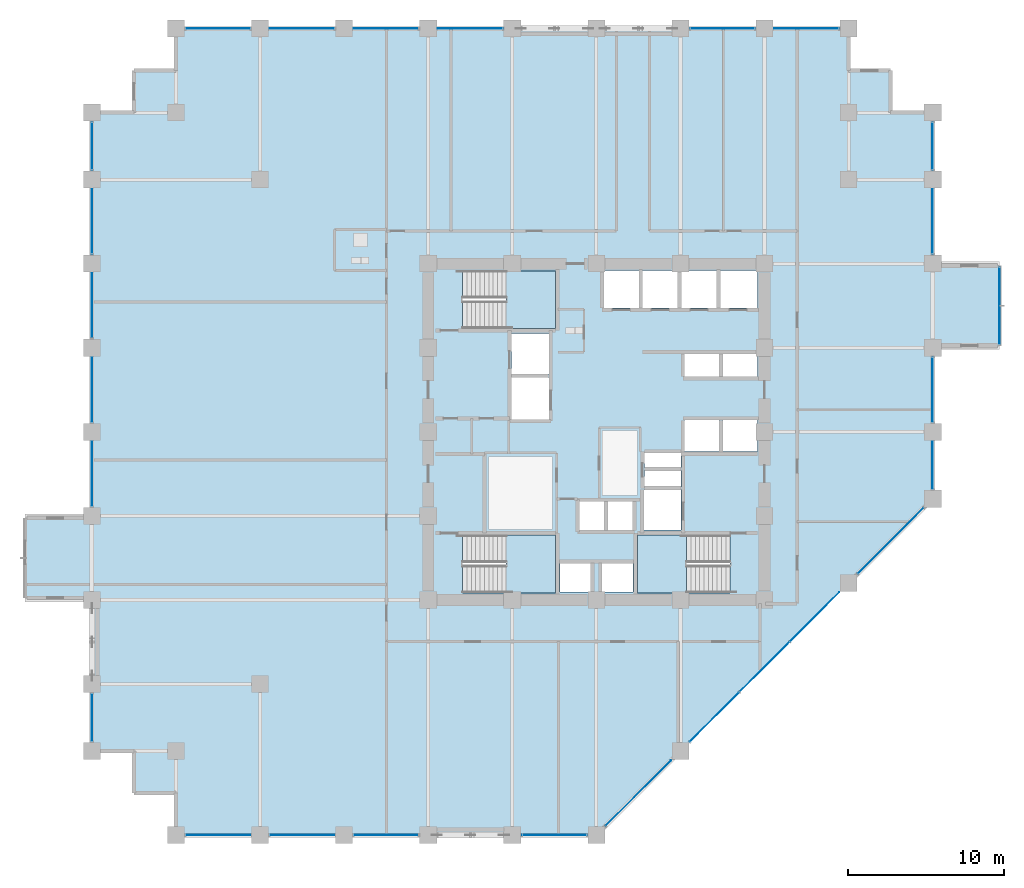
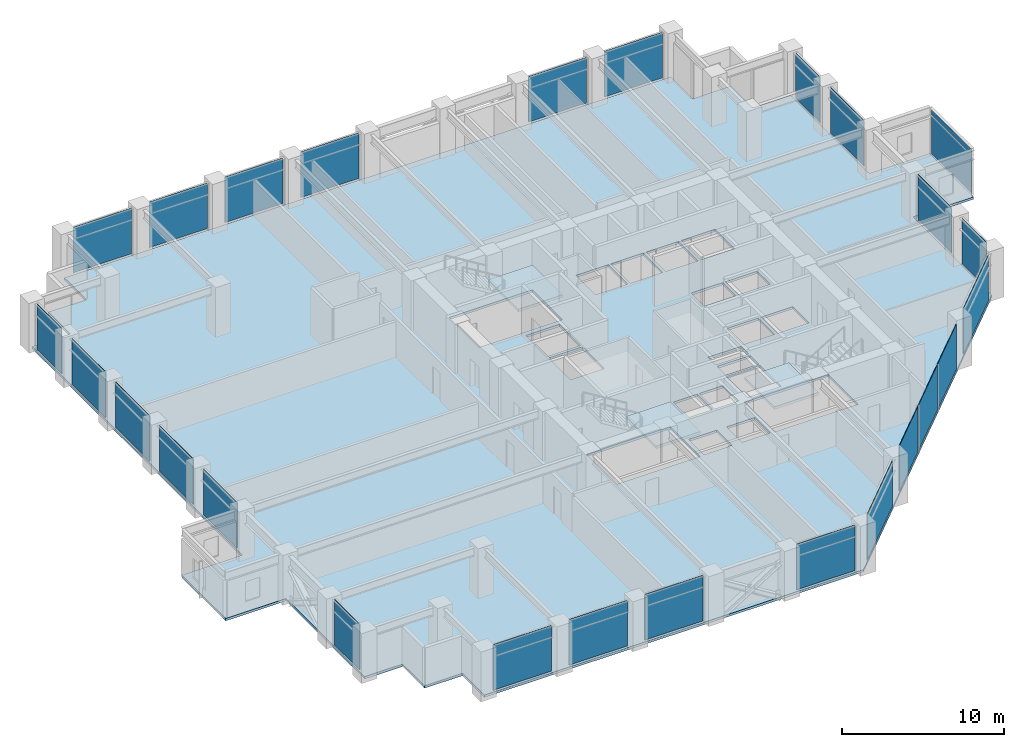
# One storey, part 20 of 29: 26 plates, 4 slabs, 13 elements without a shape of their own.
"""IFC4 building model written with IfcOpenShell, lengths in metres."""

from ifc_helpers import new_model, si_unit, direction, frame, frame_2d, origin, place, context, subcontext, project, spatial, polyline, rectangle, outline, extrude, material, layer, layer_set, type_object, element, aggregate, save


model = new_model("IFC4")

# Units and contexts
model_context = context("Model", 3, precision=1e-05, world=origin(), true_north=direction((0.0, 1.0)))
body_context = subcontext(model_context, "Body", "Model", "MODEL_VIEW")
ifc_project = project(units=[si_unit("LENGTHUNIT", "METRE"), si_unit("AREAUNIT", "SQUARE_METRE"), si_unit("VOLUMEUNIT", "CUBIC_METRE"), si_unit("PLANEANGLEUNIT", "RADIAN"), si_unit("MASSUNIT", "GRAM", prefix="KILO")], contexts=[model_context])

# Site, building, storey
site_placement = place(None, origin())
site = spatial("IfcSite", under=ifc_project, at=site_placement, CompositionType="ELEMENT")
building_placement = place(site_placement, origin())
building = spatial("IfcBuilding", under=site, at=building_placement, Name="Surkhivell Harbour Commons", CompositionType="ELEMENT")
storey_placement = place(building_placement, frame((0.0, 0.0, 87.0)))
storey = spatial("IfcBuildingStorey", under=building, at=storey_placement, Name="L22", CompositionType="ELEMENT", Elevation=87.0)

# Curtain wall, plate
ifc_material_1 = material(Name="Anodised pale-metal aluminium and insulated glazing", Category="aluminium")
ifc_layer_1 = layer(ifc_material_1, 0.1650390625)
ifc_layer_set_1 = layer_set([ifc_layer_1], Name="Anodised pale-metal aluminium and insulated glazing")
curtain_wall_type_1 = type_object("IfcCurtainWallType", Name="CW-SYS-BOX", PredefinedType="NOTDEFINED", material=ifc_layer_set_1)
curtain_wall_1_placement = place(storey_placement, origin())
curtain_wall_1 = element("IfcCurtainWall", 1, at=curtain_wall_1_placement, inside=storey, type_object=curtain_wall_type_1, Name="L22 Curtain Wall CW-L22-BOX01", PredefinedType="NOTDEFINED")
ifc_material_2 = material(Name="Triple-glazed bay-cluster vision glass", Category="glass")
ifc_layer_2 = layer(ifc_material_2, 0.028076171875)
ifc_layer_set_2 = layer_set([ifc_layer_2], Name="Triple-glazed bay-cluster vision glass")
plate_type_1 = type_object("IfcPlateType", Name="CWP-GLZ-28", PredefinedType="CURTAIN_PANEL", material=ifc_layer_set_2)
plate_1_placement = place(storey_placement, frame((25.89990234375, 5.6201171875, 0.1298828125), z_axis=(0.0, 0.0, 1.0), x_axis=(0.0, 1.0, 0.0)))
plate_1 = element("IfcPlate", 2, at=plate_1_placement, type_object=plate_type_1, Name="CW-BOX panel 1.1", PredefinedType="CURTAIN_PANEL", context=body_context, shape_type="SweptSolid", body=[
    extrude(rectangle(XDim=4.9599609375, YDim=0.028076171875, at=frame_2d((2.47998046875, 0.0))), origin(), (0.0, 0.0, 1.0), 3.31005859375),
])
aggregate(curtain_wall_1, [plate_1])

# Curtain wall, plates
ifc_layer_3 = layer(ifc_material_1, 0.205078125)
ifc_layer_set_3 = layer_set([ifc_layer_3], Name="Anodised pale-metal aluminium and insulated glazing")
curtain_wall_type_2 = type_object("IfcCurtainWallType", Name="CW-SYS-Z2", PredefinedType="NOTDEFINED", material=ifc_layer_set_3)
curtain_wall_2_placement = place(storey_placement, origin())
curtain_wall_2 = element("IfcCurtainWall", 3, at=curtain_wall_2_placement, inside=storey, type_object=curtain_wall_type_2, Name="L22 Curtain Wall CW-L22-E00S1", PredefinedType="NOTDEFINED")
ifc_material_3 = material(Name="High-pressure typhoon laminated vision glass", Category="glass")
ifc_layer_4 = layer(ifc_material_3, 0.035888671875)
ifc_layer_set_4 = layer_set([ifc_layer_4], Name="High-pressure typhoon laminated vision glass")
plate_type_2 = type_object("IfcPlateType", Name="CWP-GLZ-36", PredefinedType="CURTAIN_PANEL", material=ifc_layer_set_4)
plate_2_placement = place(storey_placement, frame((-26.373046875, -25.89990234375, 0.14990234375), z_axis=(0.0, 0.0, 1.0), x_axis=(1.0, 0.0, 0.0)))
plate_2 = element("IfcPlate", 4, at=plate_2_placement, type_object=plate_type_2, Name="CW-Z2 panel 1.1", PredefinedType="CURTAIN_PANEL", context=body_context, shape_type="SweptSolid", body=[
    extrude(rectangle(XDim=4.14599609375, YDim=0.035888671875, at=frame_2d((2.072998046875, 0.0))), origin(), (0.0, 0.0, 1.0), 3.420166015625),
])
plate_3_placement = place(storey_placement, frame((-20.972900390625, -25.89990234375, 0.14990234375), z_axis=(0.0, 0.0, 1.0), x_axis=(1.0, 0.0, 0.0)))
plate_3 = element("IfcPlate", 5, at=plate_3_placement, type_object=plate_type_2, Name="CW-Z2 panel 2.1", PredefinedType="CURTAIN_PANEL", context=body_context, shape_type="SweptSolid", body=[
    extrude(rectangle(XDim=4.14599609375, YDim=0.035888671875, at=frame_2d((2.072998046875, 0.0))), origin(), (0.0, 0.0, 1.0), 3.420166015625),
])
plate_4_placement = place(storey_placement, frame((-15.572998046875, -25.89990234375, 0.14990234375), z_axis=(0.0, 0.0, 1.0), x_axis=(1.0, 0.0, 0.0)))
plate_4 = element("IfcPlate", 6, at=plate_4_placement, type_object=plate_type_2, Name="CW-Z2 panel 3.1", PredefinedType="CURTAIN_PANEL", context=body_context, shape_type="SweptSolid", body=[
    extrude(rectangle(XDim=4.14599609375, YDim=0.035888671875, at=frame_2d((2.072998046875, 0.0))), origin(), (0.0, 0.0, 1.0), 3.420166015625),
])
aggregate(curtain_wall_2, [plate_2, plate_3, plate_4])

# Curtain wall, plate
curtain_wall_3_placement = place(storey_placement, origin())
curtain_wall_3 = element("IfcCurtainWall", 7, at=curtain_wall_3_placement, inside=storey, type_object=curtain_wall_type_2, Name="L22 Curtain Wall CW-L22-E00S2", PredefinedType="NOTDEFINED")
plate_5_placement = place(storey_placement, frame((-4.77294921875, -25.89990234375, 0.14990234375), z_axis=(0.0, 0.0, 1.0), x_axis=(1.0, 0.0, 0.0)))
plate_5 = element("IfcPlate", 8, at=plate_5_placement, type_object=plate_type_2, Name="CW-Z2 panel 1.1", PredefinedType="CURTAIN_PANEL", context=body_context, shape_type="SweptSolid", body=[
    extrude(rectangle(XDim=4.14599609375, YDim=0.035888671875, at=frame_2d((2.072998046875, 0.0))), origin(), (0.0, 0.0, 1.0), 3.420166015625),
])
aggregate(curtain_wall_3, [plate_5])

# Curtain wall, plates
curtain_wall_4_placement = place(storey_placement, origin())
curtain_wall_4 = element("IfcCurtainWall", 9, at=curtain_wall_4_placement, inside=storey, type_object=curtain_wall_type_2, Name="L22 Curtain Wall CW-L22-E01", PredefinedType="NOTDEFINED")
plate_6_placement = place(storey_placement, frame((0.604736328125, -25.295166015625, 0.14990234375), z_axis=(0.0, 0.0, 1.0), x_axis=(0.707106781187, 0.707106781187, 0.0)))
plate_6 = element("IfcPlate", 10, at=plate_6_placement, type_object=plate_type_2, Name="CW-Z2 panel 1.1", PredefinedType="CURTAIN_PANEL", context=body_context, shape_type="SweptSolid", body=[
    extrude(rectangle(XDim=5.92626953125, YDim=0.035888671875, at=frame_2d((2.963134765625, 0.0))), origin(), (0.0, 0.0, 1.0), 3.420166015625),
])
plate_7_placement = place(storey_placement, frame((6.004638671875, -19.895263671875, 0.14990234375), z_axis=(0.0, 0.0, 1.0), x_axis=(0.707134159244, 0.707079402069, 0.0)))
plate_7 = element("IfcPlate", 11, at=plate_7_placement, type_object=plate_type_2, Name="CW-Z2 panel 2.1", PredefinedType="CURTAIN_PANEL", context=body_context, shape_type="SweptSolid", body=[
    extrude(rectangle(XDim=4.45849609375, YDim=0.035888671875, at=frame_2d((2.229248046875, 0.0))), origin(), (0.0, 0.0, 1.0), 3.420166015625),
])
plate_8_placement = place(storey_placement, frame((9.21044921875, -16.689697265625, 0.14990234375), z_axis=(0.0, 0.0, 1.0), x_axis=(0.707106781187, 0.707106781187, 0.0)))
plate_8 = element("IfcPlate", 12, at=plate_8_placement, type_object=plate_type_2, Name="CW-Z2 panel 3.1", PredefinedType="CURTAIN_PANEL", context=body_context, shape_type="SweptSolid", body=[
    extrude(rectangle(XDim=4.49609375, YDim=0.035888671875, at=frame_2d((2.248046875, 0.0))), origin(), (0.0, 0.0, 1.0), 3.420166015625),
])
plate_9_placement = place(storey_placement, frame((12.442626953125, -13.457275390625, 0.14990234375), z_axis=(0.0, 0.0, 1.0), x_axis=(0.707106781187, 0.707106781187, 0.0)))
plate_9 = element("IfcPlate", 13, at=plate_9_placement, type_object=plate_type_2, Name="CW-Z2 panel 4.1", PredefinedType="CURTAIN_PANEL", context=body_context, shape_type="SweptSolid", body=[
    extrude(rectangle(XDim=4.45849609375, YDim=0.035888671875, at=frame_2d((2.229248046875, 0.0))), origin(), (0.0, 0.0, 1.0), 3.420166015625),
])
plate_10_placement = place(storey_placement, frame((16.8046875, -9.09521484375, 0.14990234375), z_axis=(0.0, 0.0, 1.0), x_axis=(0.707127378829, 0.707086182944, 0.0)))
plate_10 = element("IfcPlate", 14, at=plate_10_placement, type_object=plate_type_2, Name="CW-Z2 panel 5.1", PredefinedType="CURTAIN_PANEL", context=body_context, shape_type="SweptSolid", body=[
    extrude(rectangle(XDim=5.92626953125, YDim=0.035888671875, at=frame_2d((2.963134765625, 0.0))), origin(), (0.0, 0.0, 1.0), 3.420166015625),
])
aggregate(curtain_wall_4, [plate_6, plate_7, plate_8, plate_9, plate_10])

curtain_wall_5_placement = place(storey_placement, origin())
curtain_wall_5 = element("IfcCurtainWall", 15, at=curtain_wall_5_placement, inside=storey, type_object=curtain_wall_type_2, Name="L22 Curtain Wall CW-L22-E02R1", PredefinedType="NOTDEFINED")
plate_11_placement = place(storey_placement, frame((21.60009765625, -3.673095703125, 0.14990234375), z_axis=(0.0, 0.0, 1.0), x_axis=(0.0, 1.0, 0.0)))
plate_11 = element("IfcPlate", 16, at=plate_11_placement, type_object=plate_type_2, Name="CW-Z2 panel 1.1", PredefinedType="CURTAIN_PANEL", context=body_context, shape_type="SweptSolid", body=[
    extrude(rectangle(XDim=3.046142578125, YDim=0.035888671875, at=frame_2d((1.52294921875, 0.0))), origin(), (0.0, 0.0, 1.0), 3.420166015625),
])
plate_12_placement = place(storey_placement, frame((21.60009765625, 0.626953125, 0.14990234375), z_axis=(0.0, 0.0, 1.0), x_axis=(0.0, 1.0, 0.0)))
plate_12 = element("IfcPlate", 17, at=plate_12_placement, type_object=plate_type_2, Name="CW-Z2 panel 2.1", PredefinedType="CURTAIN_PANEL", context=body_context, shape_type="SweptSolid", body=[
    extrude(rectangle(XDim=4.14599609375, YDim=0.035888671875, at=frame_2d((2.072998046875, 0.0))), origin(), (0.0, 0.0, 1.0), 3.420166015625),
])
aggregate(curtain_wall_5, [plate_11, plate_12])

curtain_wall_6_placement = place(storey_placement, origin())
curtain_wall_6 = element("IfcCurtainWall", 18, at=curtain_wall_6_placement, inside=storey, type_object=curtain_wall_type_2, Name="L22 Curtain Wall CW-L22-E02R2", PredefinedType="NOTDEFINED")
plate_13_placement = place(storey_placement, frame((21.60009765625, 11.427001953125, 0.14990234375), z_axis=(0.0, 0.0, 1.0), x_axis=(0.0, 1.0, 0.0)))
plate_13 = element("IfcPlate", 19, at=plate_13_placement, type_object=plate_type_2, Name="CW-Z2 panel 1.1", PredefinedType="CURTAIN_PANEL", context=body_context, shape_type="SweptSolid", body=[
    extrude(rectangle(XDim=4.14599609375, YDim=0.035888671875, at=frame_2d((2.072998046875, 0.0))), origin(), (0.0, 0.0, 1.0), 3.420166015625),
])
plate_14_placement = place(storey_placement, frame((21.60009765625, 16.826904296875, 0.14990234375), z_axis=(0.0, 0.0, 1.0), x_axis=(0.0, 1.0, 0.0)))
plate_14 = element("IfcPlate", 20, at=plate_14_placement, type_object=plate_type_2, Name="CW-Z2 panel 2.1", PredefinedType="CURTAIN_PANEL", context=body_context, shape_type="SweptSolid", body=[
    extrude(rectangle(XDim=3.046142578125, YDim=0.035888671875, at=frame_2d((1.52294921875, 0.0))), origin(), (0.0, 0.0, 1.0), 3.420166015625),
])
aggregate(curtain_wall_6, [plate_13, plate_14])

curtain_wall_7_placement = place(storey_placement, origin())
curtain_wall_7 = element("IfcCurtainWall", 21, at=curtain_wall_7_placement, inside=storey, type_object=curtain_wall_type_2, Name="L22 Curtain Wall CW-L22-E07S1", PredefinedType="NOTDEFINED")
plate_15_placement = place(storey_placement, frame((15.572998046875, 25.89990234375, 0.14990234375), z_axis=(0.0, 0.0, 1.0), x_axis=(-1.0, 0.0, 0.0)))
plate_15 = element("IfcPlate", 22, at=plate_15_placement, type_object=plate_type_2, Name="CW-Z2 panel 1.1", PredefinedType="CURTAIN_PANEL", context=body_context, shape_type="SweptSolid", body=[
    extrude(rectangle(XDim=4.14599609375, YDim=0.035888671875, at=frame_2d((2.072998046875, 0.0))), origin(), (0.0, 0.0, 1.0), 3.420166015625),
])
plate_16_placement = place(storey_placement, frame((10.173095703125, 25.89990234375, 0.14990234375), z_axis=(0.0, 0.0, 1.0), x_axis=(-1.0, 0.0, 0.0)))
plate_16 = element("IfcPlate", 23, at=plate_16_placement, type_object=plate_type_2, Name="CW-Z2 panel 2.1", PredefinedType="CURTAIN_PANEL", context=body_context, shape_type="SweptSolid", body=[
    extrude(rectangle(XDim=4.14599609375, YDim=0.035888671875, at=frame_2d((2.072998046875, 0.0))), origin(), (0.0, 0.0, 1.0), 3.420166015625),
])
aggregate(curtain_wall_7, [plate_15, plate_16])

curtain_wall_8_placement = place(storey_placement, origin())
curtain_wall_8 = element("IfcCurtainWall", 24, at=curtain_wall_8_placement, inside=storey, type_object=curtain_wall_type_2, Name="L22 Curtain Wall CW-L22-E07S2", PredefinedType="NOTDEFINED")
plate_17_placement = place(storey_placement, frame((-6.027099609375, 25.89990234375, 0.14990234375), z_axis=(0.0, 0.0, 1.0), x_axis=(-1.0, 0.0, 0.0)))
plate_17 = element("IfcPlate", 25, at=plate_17_placement, type_object=plate_type_2, Name="CW-Z2 panel 1.1", PredefinedType="CURTAIN_PANEL", context=body_context, shape_type="SweptSolid", body=[
    extrude(rectangle(XDim=4.14599609375, YDim=0.035888671875, at=frame_2d((2.072998046875, 0.0))), origin(), (0.0, 0.0, 1.0), 3.420166015625),
])
plate_18_placement = place(storey_placement, frame((-11.427001953125, 25.89990234375, 0.14990234375), z_axis=(0.0, 0.0, 1.0), x_axis=(-1.0, 0.0, 0.0)))
plate_18 = element("IfcPlate", 26, at=plate_18_placement, type_object=plate_type_2, Name="CW-Z2 panel 2.1", PredefinedType="CURTAIN_PANEL", context=body_context, shape_type="SweptSolid", body=[
    extrude(rectangle(XDim=4.14599609375, YDim=0.035888671875, at=frame_2d((2.072998046875, 0.0))), origin(), (0.0, 0.0, 1.0), 3.420166015625),
])
plate_19_placement = place(storey_placement, frame((-16.826904296875, 25.89990234375, 0.14990234375), z_axis=(0.0, 0.0, 1.0), x_axis=(-1.0, 0.0, 0.0)))
plate_19 = element("IfcPlate", 27, at=plate_19_placement, type_object=plate_type_2, Name="CW-Z2 panel 3.1", PredefinedType="CURTAIN_PANEL", context=body_context, shape_type="SweptSolid", body=[
    extrude(rectangle(XDim=4.14599609375, YDim=0.035888671875, at=frame_2d((2.072998046875, 0.0))), origin(), (0.0, 0.0, 1.0), 3.420166015625),
])
plate_20_placement = place(storey_placement, frame((-22.22705078125, 25.89990234375, 0.14990234375), z_axis=(0.0, 0.0, 1.0), x_axis=(-1.0, 0.0, 0.0)))
plate_20 = element("IfcPlate", 28, at=plate_20_placement, type_object=plate_type_2, Name="CW-Z2 panel 4.1", PredefinedType="CURTAIN_PANEL", context=body_context, shape_type="SweptSolid", body=[
    extrude(rectangle(XDim=4.14599609375, YDim=0.035888671875, at=frame_2d((2.072998046875, 0.0))), origin(), (0.0, 0.0, 1.0), 3.420166015625),
])
aggregate(curtain_wall_8, [plate_17, plate_18, plate_19, plate_20])

# Curtain wall, plate
curtain_wall_9_placement = place(storey_placement, origin())
curtain_wall_9 = element("IfcCurtainWall", 29, at=curtain_wall_9_placement, inside=storey, type_object=curtain_wall_type_2, Name="L22 Curtain Wall CW-L22-E12R1S1", PredefinedType="NOTDEFINED")
plate_21_placement = place(storey_placement, frame((-32.39990234375, -19.873046875, 0.14990234375), z_axis=(0.0, 0.0, 1.0), x_axis=(0.0, 1.0, 0.0)))
plate_21 = element("IfcPlate", 30, at=plate_21_placement, type_object=plate_type_2, Name="CW-Z2 panel 1.1", PredefinedType="CURTAIN_PANEL", context=body_context, shape_type="SweptSolid", body=[
    extrude(rectangle(XDim=3.046142578125, YDim=0.035888671875, at=frame_2d((1.52294921875, 0.0))), origin(), (0.0, 0.0, 1.0), 3.420166015625),
])
aggregate(curtain_wall_9, [plate_21])

# Curtain wall, plates
curtain_wall_10_placement = place(storey_placement, origin())
curtain_wall_10 = element("IfcCurtainWall", 31, at=curtain_wall_10_placement, inside=storey, type_object=curtain_wall_type_2, Name="L22 Curtain Wall CW-L22-E12R2", PredefinedType="NOTDEFINED")
plate_22_placement = place(storey_placement, frame((-32.39990234375, -4.77294921875, 0.14990234375), z_axis=(0.0, 0.0, 1.0), x_axis=(0.0, 1.0, 0.0)))
plate_22 = element("IfcPlate", 32, at=plate_22_placement, type_object=plate_type_2, Name="CW-Z2 panel 1.1", PredefinedType="CURTAIN_PANEL", context=body_context, shape_type="SweptSolid", body=[
    extrude(rectangle(XDim=4.14599609375, YDim=0.035888671875, at=frame_2d((2.072998046875, 0.0))), origin(), (0.0, 0.0, 1.0), 3.420166015625),
])
plate_23_placement = place(storey_placement, frame((-32.39990234375, 0.626953125, 0.14990234375), z_axis=(0.0, 0.0, 1.0), x_axis=(0.0, 1.0, 0.0)))
plate_23 = element("IfcPlate", 33, at=plate_23_placement, type_object=plate_type_2, Name="CW-Z2 panel 2.1", PredefinedType="CURTAIN_PANEL", context=body_context, shape_type="SweptSolid", body=[
    extrude(rectangle(XDim=4.14599609375, YDim=0.035888671875, at=frame_2d((2.072998046875, 0.0))), origin(), (0.0, 0.0, 1.0), 3.420166015625),
])
plate_24_placement = place(storey_placement, frame((-32.39990234375, 6.027099609375, 0.14990234375), z_axis=(0.0, 0.0, 1.0), x_axis=(0.0, 1.0, 0.0)))
plate_24 = element("IfcPlate", 34, at=plate_24_placement, type_object=plate_type_2, Name="CW-Z2 panel 3.1", PredefinedType="CURTAIN_PANEL", context=body_context, shape_type="SweptSolid", body=[
    extrude(rectangle(XDim=4.14599609375, YDim=0.035888671875, at=frame_2d((2.072998046875, 0.0))), origin(), (0.0, 0.0, 1.0), 3.420166015625),
])
plate_25_placement = place(storey_placement, frame((-32.39990234375, 11.427001953125, 0.14990234375), z_axis=(0.0, 0.0, 1.0), x_axis=(0.0, 1.0, 0.0)))
plate_25 = element("IfcPlate", 35, at=plate_25_placement, type_object=plate_type_2, Name="CW-Z2 panel 4.1", PredefinedType="CURTAIN_PANEL", context=body_context, shape_type="SweptSolid", body=[
    extrude(rectangle(XDim=4.14599609375, YDim=0.035888671875, at=frame_2d((2.072998046875, 0.0))), origin(), (0.0, 0.0, 1.0), 3.420166015625),
])
plate_26_placement = place(storey_placement, frame((-32.39990234375, 16.826904296875, 0.14990234375), z_axis=(0.0, 0.0, 1.0), x_axis=(0.0, 1.0, 0.0)))
plate_26 = element("IfcPlate", 36, at=plate_26_placement, type_object=plate_type_2, Name="CW-Z2 panel 5.1", PredefinedType="CURTAIN_PANEL", context=body_context, shape_type="SweptSolid", body=[
    extrude(rectangle(XDim=3.046142578125, YDim=0.035888671875, at=frame_2d((1.52294921875, 0.0))), origin(), (0.0, 0.0, 1.0), 3.420166015625),
])
aggregate(curtain_wall_10, [plate_22, plate_23, plate_24, plate_25, plate_26])

# Stair, slab
ifc_material_4 = material(Name="Precast concrete C45/55", Category="concrete")
stair_type = type_object("IfcStairType", Name="STR-DL-375", PredefinedType="HALF_TURN_STAIR", material=ifc_material_4)
stair_1_placement = place(storey_placement, origin())
stair_1 = element("IfcStair", 37, at=stair_1_placement, inside=storey, type_object=stair_type, Name="L22 Core Exit Stair ST1", PredefinedType="HALF_TURN_STAIR")
ifc_material_5 = material(Name="Reinforced concrete C45/55", Category="concrete")
ifc_layer_5 = layer(ifc_material_5, 0.199951171875)
ifc_layer_set_5 = layer_set([ifc_layer_5], Name="Reinforced concrete C45/55")
slab_type_1 = type_object("IfcSlabType", Name="SLB-ST-LND200", PredefinedType="LANDING", material=ifc_layer_set_5)
slab_1_placement = place(storey_placement, frame((0.0, 0.0, 1.675048828125)))
slab_1 = element("IfcSlab", 38, at=slab_1_placement, type_object=slab_type_1, Name="ST1 landing 1", PredefinedType="LANDING", context=body_context, shape_type="SweptSolid", body=[
    extrude(outline(polyline([(-5.7900390625, 6.639892578125), (-2.639892578125, 6.639892578125), (-2.639892578125, 10.340087890625), (-5.7900390625, 10.340087890625), (-5.7900390625, 6.639892578125)])), origin(), (0.0, 0.0, 1.0), 0.199951171875),
])
aggregate(stair_1, [slab_1])

stair_2_placement = place(storey_placement, origin())
stair_2 = element("IfcStair", 39, at=stair_2_placement, inside=storey, type_object=stair_type, Name="L22 Core Exit Stair ST2", PredefinedType="HALF_TURN_STAIR")
slab_2_placement = place(storey_placement, frame((0.0, 0.0, 1.675048828125)))
slab_2 = element("IfcSlab", 40, at=slab_2_placement, type_object=slab_type_1, Name="ST2 landing 1", PredefinedType="LANDING", context=body_context, shape_type="SweptSolid", body=[
    extrude(outline(polyline([(5.7900390625, -6.639892578125), (2.639892578125, -6.639892578125), (2.639892578125, -10.340087890625), (5.7900390625, -10.340087890625), (5.7900390625, -6.639892578125)])), origin(), (0.0, 0.0, 1.0), 0.199951171875),
])
aggregate(stair_2, [slab_2])

stair_3_placement = place(storey_placement, origin())
stair_3 = element("IfcStair", 41, at=stair_3_placement, inside=storey, type_object=stair_type, Name="L22 Core Exit Stair ST3", PredefinedType="HALF_TURN_STAIR")
slab_3_placement = place(storey_placement, frame((0.0, 0.0, 1.675048828125)))
slab_3 = element("IfcSlab", 42, at=slab_3_placement, type_object=slab_type_1, Name="ST3 landing 1", PredefinedType="LANDING", context=body_context, shape_type="SweptSolid", body=[
    extrude(outline(polyline([(-5.7900390625, -10.340087890625), (-2.639892578125, -10.340087890625), (-2.639892578125, -6.639892578125), (-5.7900390625, -6.639892578125), (-5.7900390625, -10.340087890625)])), origin(), (0.0, 0.0, 1.0), 0.199951171875),
])
aggregate(stair_3, [slab_3])

# Slab
ifc_material_6 = material(Name="Concrete C45/55", Category="concrete")
ifc_layer_6 = layer(ifc_material_6, 0.179931640625)
ifc_layer_set_6 = layer_set([ifc_layer_6], Name="Concrete C45/55")
slab_type_2 = type_object("IfcSlabType", Name="SLB-TYP-180", PredefinedType="FLOOR", material=ifc_layer_set_6)
slab_4_placement = place(storey_placement, frame((0.0, 0.0, -0.179931640625)))
element("IfcSlab", 43, at=slab_4_placement, inside=storey, type_object=slab_type_2, Name="L22 Structural Floor Slab", PredefinedType="FLOOR", context=body_context, shape_type="SweptSolid", body=[
    extrude(outline(polyline([(-32.39990234375, 20.5), (-32.39990234375, -5.39990234375), (-36.699951171875, -5.39990234375), (-36.699951171875, -10.800048828125), (-32.39990234375, -10.800048828125), (-32.39990234375, -20.5), (-29.699951171875, -20.5), (-29.699951171875, -23.199951171875), (-27.0, -23.199951171875), (-27.0, -25.89990234375), (0.0, -25.89990234375), (21.60009765625, -4.300048828125), (21.60009765625, 5.39990234375), (25.89990234375, 5.39990234375), (25.89990234375, 10.800048828125), (21.60009765625, 10.800048828125), (21.60009765625, 20.5), (18.89990234375, 20.5), (18.89990234375, 23.199951171875), (16.199951171875, 23.199951171875), (16.199951171875, 25.89990234375), (-27.0, 25.89990234375), (-27.0, 23.199951171875), (-29.699951171875, 23.199951171875), (-29.699951171875, 20.5), (-32.39990234375, 20.5)]), holes=[polyline([(-8.590087890625, 6.639892578125), (-2.639892578125, 6.639892578125), (-2.639892578125, 10.340087890625), (-8.590087890625, 10.340087890625), (-8.590087890625, 6.639892578125)]), polyline([(8.590087890625, -6.639892578125), (2.639892578125, -6.639892578125), (2.639892578125, -10.340087890625), (8.590087890625, -10.340087890625), (8.590087890625, -6.639892578125)]), polyline([(-8.590087890625, -10.340087890625), (-2.639892578125, -10.340087890625), (-2.639892578125, -6.639892578125), (-8.590087890625, -6.639892578125), (-8.590087890625, -10.340087890625)]), polyline([(0.449951171875, 7.949951171875), (2.75, 7.949951171875), (2.75, 10.35009765625), (0.449951171875, 10.35009765625), (0.449951171875, 7.949951171875)]), polyline([(2.949951171875, 7.949951171875), (5.25, 7.949951171875), (5.25, 10.35009765625), (2.949951171875, 10.35009765625), (2.949951171875, 7.949951171875)]), polyline([(5.449951171875, 7.949951171875), (7.75, 7.949951171875), (7.75, 10.35009765625), (5.449951171875, 10.35009765625), (5.449951171875, 7.949951171875)]), polyline([(7.949951171875, 7.949951171875), (10.35009765625, 7.949951171875), (10.35009765625, 10.35009765625), (7.949951171875, 10.35009765625), (7.949951171875, 7.949951171875)]), polyline([(5.64990234375, 3.550048828125), (7.89990234375, 3.550048828125), (7.89990234375, 5.14990234375), (5.64990234375, 5.14990234375), (5.64990234375, 3.550048828125)]), polyline([(8.10009765625, 3.550048828125), (10.35009765625, 3.550048828125), (10.35009765625, 5.14990234375), (8.10009765625, 5.14990234375), (8.10009765625, 3.550048828125)]), polyline([(5.64990234375, -1.25), (7.89990234375, -1.25), (7.89990234375, 0.75), (5.64990234375, 0.75), (5.64990234375, -1.25)]), polyline([(8.10009765625, -1.25), (10.35009765625, -1.25), (10.35009765625, 0.75), (8.10009765625, 0.75), (8.10009765625, -1.25)]), polyline([(-1.14990234375, -6.35009765625), (0.550048828125, -6.35009765625), (0.550048828125, -4.449951171875), (-1.14990234375, -4.449951171875), (-1.14990234375, -6.35009765625)]), polyline([(0.679931640625, -6.35009765625), (2.3798828125, -6.35009765625), (2.3798828125, -4.449951171875), (0.679931640625, -4.449951171875), (0.679931640625, -6.35009765625)]), polyline([(-2.35009765625, -10.300048828125), (-0.35009765625, -10.300048828125), (-0.35009765625, -8.39990234375), (-2.35009765625, -8.39990234375), (-2.35009765625, -10.300048828125)]), polyline([(0.35009765625, -10.300048828125), (2.35009765625, -10.300048828125), (2.35009765625, -8.39990234375), (0.35009765625, -8.39990234375), (0.35009765625, -10.300048828125)]), polyline([(-5.449951171875, 3.699951171875), (-3.050048828125, 3.699951171875), (-3.050048828125, 6.300048828125), (-5.449951171875, 6.300048828125), (-5.449951171875, 3.699951171875)]), polyline([(3.050048828125, -6.300048828125), (5.449951171875, -6.300048828125), (5.449951171875, -3.699951171875), (3.050048828125, -3.699951171875), (3.050048828125, -6.300048828125)]), polyline([(-5.449951171875, 0.800048828125), (-3.050048828125, 0.800048828125), (-3.050048828125, 3.5), (-5.449951171875, 3.5), (-5.449951171875, 0.800048828125)]), polyline([(3.10009765625, -3.550048828125), (5.449951171875, -3.550048828125), (5.449951171875, -2.47998046875), (3.10009765625, -2.47998046875), (3.10009765625, -3.550048828125)]), polyline([(3.10009765625, -2.280029296875), (5.449951171875, -2.280029296875), (5.449951171875, -1.35009765625), (3.10009765625, -1.35009765625), (3.10009765625, -2.280029296875)])]), origin(), (0.0, 0.0, 1.0), 0.179931640625),
])

save(model, "model.ifc")
